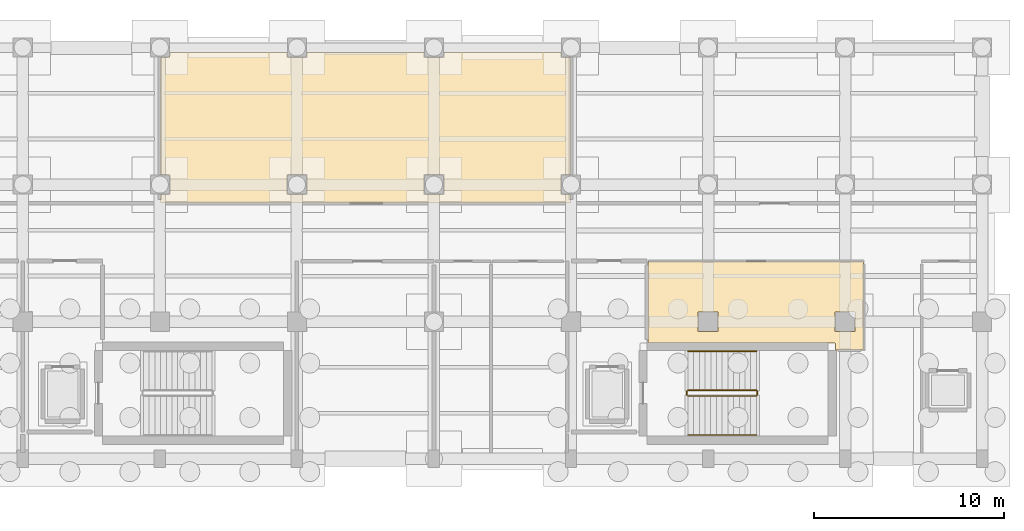
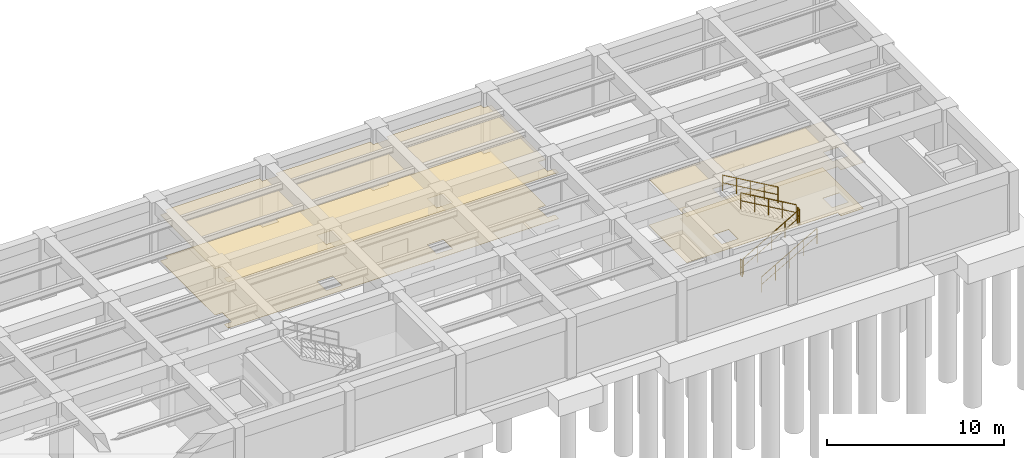
# One storey, part 7 of 8: 6 railings, 4 coverings.
"""IFC4 building model written with IfcOpenShell, lengths in metres."""

from ifc_helpers import new_model, si_unit, direction, frame, origin, origin_2d, place, context, subcontext, project, spatial, polyline, circle, outline, extrude, material, layer, layer_set, type_object, element, save


model = new_model("IFC4")

# Units and contexts
model_context = context("Model", 3, precision=1e-05, world=origin(), true_north=direction((0.0, 1.0)))
body_context = subcontext(model_context, "Body", "Model", "MODEL_VIEW")
ifc_project = project(units=[si_unit("LENGTHUNIT", "METRE"), si_unit("AREAUNIT", "SQUARE_METRE"), si_unit("VOLUMEUNIT", "CUBIC_METRE"), si_unit("PLANEANGLEUNIT", "RADIAN"), si_unit("MASSUNIT", "GRAM", prefix="KILO")], contexts=[model_context])

# Site, building, storey
site_placement = place(None, origin())
site = spatial("IfcSite", under=ifc_project, at=site_placement, CompositionType="ELEMENT")
building_placement = place(site_placement, origin())
building = spatial("IfcBuilding", under=site, at=building_placement, Name="Solenvale Faculty of Natural Sciences", CompositionType="ELEMENT")
storey_placement = place(building_placement, frame((0.0, 0.0, -9.0)))
storey = spatial("IfcBuildingStorey", under=building, at=storey_placement, Name="B02", CompositionType="ELEMENT", Elevation=-9.0)

# Coverings
ifc_material_1 = material(Name="Acoustic mineral-timber ceiling", Category="wood")
ifc_layer_1 = layer(ifc_material_1, 0.02490234375)
ifc_layer_set_1 = layer_set([ifc_layer_1], Name="Acoustic mineral-timber ceiling")
covering_type_1 = type_object("IfcCoveringType", Name="COV-CEIL-AC25", PredefinedType="CEILING", material=ifc_layer_set_1)
covering_1_placement = place(storey_placement, frame((0.0, 0.0, 3.1650390625)))
element("IfcCovering", 1, at=covering_1_placement, inside=storey, type_object=covering_type_1, Name="B02 Electrical Substation and Switchgear Room Acoustic Ceiling", PredefinedType="CEILING", context=body_context, shape_type="SweptSolid", body=[
    extrude(outline(polyline([(108.0400390625, 107.445068359375), (108.06689453125, 107.47509765625), (108.513916015625, 107.47509765625), (108.52490234375, 107.486083984375), (108.52392578125, 108.51904296875), (108.06689453125, 108.52490234375), (108.0400390625, 108.552001953125), (108.0400390625, 114.64794921875), (108.06689453125, 114.675048828125), (108.52099609375, 114.677001953125), (108.52490234375, 114.93310546875), (108.5458984375, 114.958984375), (114.64501953125, 114.9599609375), (114.675048828125, 114.93310546875), (114.681884765625, 114.675048828125), (115.714111328125, 114.675048828125), (115.72509765625, 114.68603515625), (115.72509765625, 114.93310546875), (115.7548828125, 114.9599609375), (121.844970703125, 114.9599609375), (121.875, 114.93310546875), (121.882080078125, 114.675048828125), (122.9140625, 114.675048828125), (122.925048828125, 114.68603515625), (122.925048828125, 114.93310546875), (122.955078125, 114.9599609375), (129.044921875, 114.9599609375), (129.074951171875, 114.93310546875), (129.080078125, 114.676025390625), (129.550048828125, 114.675048828125), (129.5791015625, 114.654052734375), (129.580078125, 108.552001953125), (129.552978515625, 108.52490234375), (129.0859375, 108.52490234375), (129.074951171875, 108.513916015625), (129.074951171875, 107.48193359375), (129.550048828125, 107.47509765625), (129.571044921875, 107.466064453125), (129.580078125, 107.445068359375), (129.580078125, 107.070068359375), (129.55908203125, 107.041015625), (108.070068359375, 107.0400390625), (108.0400390625, 107.06689453125), (108.0400390625, 107.445068359375)]), holes=[polyline([(122.9140625, 107.47509765625), (122.925048828125, 107.486083984375), (122.922119140625, 108.52197265625), (121.8779296875, 108.52197265625), (121.8779296875, 107.47802734375), (122.9140625, 107.47509765625)]), polyline([(115.714111328125, 107.47509765625), (115.72509765625, 107.486083984375), (115.721923828125, 108.52197265625), (114.677978515625, 108.52197265625), (114.677978515625, 107.47802734375), (115.714111328125, 107.47509765625)])]), origin(), (0.0, 0.0, 1.0), 0.02490234375),
])
covering_2_placement = place(storey_placement, frame((0.0, 0.0, 3.1650390625)))
element("IfcCovering", 2, at=covering_2_placement, inside=storey, type_object=covering_type_1, Name="B02 Building Electrical and Telecom Closet Acoustic Ceiling", PredefinedType="CEILING", context=body_context, shape_type="SweptSolid", body=[
    extrude(outline(polyline([(144.929931640625, 103.9599609375), (144.950927734375, 103.950927734375), (144.9599609375, 103.929931640625), (144.9599609375, 99.35009765625), (144.94091796875, 99.322021484375), (143.50390625, 99.321044921875), (143.47998046875, 99.346923828125), (143.47998046875, 99.654052734375), (143.450927734375, 99.679931640625), (133.669921875, 99.679931640625), (133.64208984375, 99.698974609375), (133.639892578125, 103.929931640625), (133.658935546875, 103.9580078125), (144.929931640625, 103.9599609375)]), holes=[polyline([(143.47509765625, 100.285888671875), (143.486083984375, 100.27490234375), (144.52197265625, 100.278076171875), (144.52197265625, 101.322021484375), (143.47802734375, 101.322021484375), (143.47509765625, 100.285888671875)]), polyline([(136.27490234375, 100.285888671875), (136.285888671875, 100.27490234375), (137.322021484375, 100.278076171875), (137.322021484375, 101.322021484375), (136.278076171875, 101.322021484375), (136.27490234375, 100.285888671875)])]), origin(), (0.0, 0.0, 1.0), 0.02490234375),
])
ifc_material_2 = material(Name="Polished slate terrazzo flooring", Category="masonry")
ifc_layer_2 = layer(ifc_material_2, 0.01806640625)
ifc_layer_set_2 = layer_set([ifc_layer_2], Name="Polished slate terrazzo flooring")
covering_type_2 = type_object("IfcCoveringType", Name="COV-FLR-TRZ18", PredefinedType="FLOORING", material=ifc_layer_set_2)
covering_3_placement = place(storey_placement, origin())
element("IfcCovering", 3, at=covering_3_placement, inside=storey, type_object=covering_type_2, Name="B02 Electrical Substation and Switchgear Room Floor Finish", PredefinedType="FLOORING", context=body_context, shape_type="SweptSolid", body=[
    extrude(outline(polyline([(108.0400390625, 107.445068359375), (108.06689453125, 107.47509765625), (108.513916015625, 107.47509765625), (108.52490234375, 107.486083984375), (108.52392578125, 108.51904296875), (108.06689453125, 108.52490234375), (108.0400390625, 108.552001953125), (108.0400390625, 114.64794921875), (108.06689453125, 114.675048828125), (108.52099609375, 114.677001953125), (108.52490234375, 114.93310546875), (108.5458984375, 114.958984375), (114.64501953125, 114.9599609375), (114.675048828125, 114.93310546875), (114.681884765625, 114.675048828125), (115.714111328125, 114.675048828125), (115.72509765625, 114.68603515625), (115.72509765625, 114.93310546875), (115.7548828125, 114.9599609375), (121.844970703125, 114.9599609375), (121.875, 114.93310546875), (121.882080078125, 114.675048828125), (122.9140625, 114.675048828125), (122.925048828125, 114.68603515625), (122.925048828125, 114.93310546875), (122.955078125, 114.9599609375), (129.044921875, 114.9599609375), (129.074951171875, 114.93310546875), (129.080078125, 114.676025390625), (129.550048828125, 114.675048828125), (129.5791015625, 114.654052734375), (129.580078125, 108.552001953125), (129.552978515625, 108.52490234375), (129.0859375, 108.52490234375), (129.074951171875, 108.513916015625), (129.074951171875, 107.48193359375), (129.550048828125, 107.47509765625), (129.571044921875, 107.466064453125), (129.580078125, 107.445068359375), (129.580078125, 107.070068359375), (129.55908203125, 107.041015625), (108.070068359375, 107.0400390625), (108.0400390625, 107.06689453125), (108.0400390625, 107.445068359375)]), holes=[polyline([(122.9140625, 107.47509765625), (122.925048828125, 107.486083984375), (122.922119140625, 108.52197265625), (121.8779296875, 108.52197265625), (121.8779296875, 107.47802734375), (122.9140625, 107.47509765625)]), polyline([(115.714111328125, 107.47509765625), (115.72509765625, 107.486083984375), (115.721923828125, 108.52197265625), (114.677978515625, 108.52197265625), (114.677978515625, 107.47802734375), (115.714111328125, 107.47509765625)])]), origin(), (0.0, 0.0, 1.0), 0.01806640625),
])
covering_4_placement = place(storey_placement, origin())
element("IfcCovering", 4, at=covering_4_placement, inside=storey, type_object=covering_type_2, Name="B02 Building Electrical and Telecom Closet Floor Finish", PredefinedType="FLOORING", context=body_context, shape_type="SweptSolid", body=[
    extrude(outline(polyline([(144.929931640625, 103.9599609375), (144.950927734375, 103.950927734375), (144.9599609375, 103.929931640625), (144.9599609375, 99.35009765625), (144.94091796875, 99.322021484375), (143.50390625, 99.321044921875), (143.47998046875, 99.346923828125), (143.47998046875, 99.654052734375), (143.450927734375, 99.679931640625), (133.669921875, 99.679931640625), (133.64208984375, 99.698974609375), (133.639892578125, 103.929931640625), (133.658935546875, 103.9580078125), (144.929931640625, 103.9599609375)]), holes=[polyline([(143.47509765625, 100.285888671875), (143.486083984375, 100.27490234375), (144.52197265625, 100.278076171875), (144.52197265625, 101.322021484375), (143.47802734375, 101.322021484375), (143.47509765625, 100.285888671875)]), polyline([(136.27490234375, 100.285888671875), (136.285888671875, 100.27490234375), (137.322021484375, 100.278076171875), (137.322021484375, 101.322021484375), (136.278076171875, 101.322021484375), (136.27490234375, 100.285888671875)])]), origin(), (0.0, 0.0, 1.0), 0.01806640625),
])

# Railings
ifc_material_3 = material(Name="Stainless steel Grade 304", Category="steel")
railing_type_1 = type_object("IfcRailingType", Name="RL-GRD-1100", PredefinedType="GUARDRAIL", material=ifc_material_3)
railing_1_placement = place(storey_placement, frame((135.739990234375, 96.89990234375, 0.173095703125)))
element("IfcRailing", 5, at=railing_1_placement, inside=storey, type_object=railing_type_1, Name="B02 ST-05 stair guard 1", PredefinedType="GUARDRAIL", context=body_context, shape_type="SweptSolid", body=[
    extrude(circle(Radius=0.02392578125, at=origin_2d()), frame((0.0, 0.0, 1.09619140625), z_axis=(0.866193409371, 0.0, 0.499708892819), x_axis=(0.0, 1.0, 0.0)), (0.0, 0.0, 1.0), 4.15625),
    extrude(circle(Radius=0.01611328125, at=origin_2d()), frame((0.0, 0.0, 0.56005859375), z_axis=(0.866193409371, 0.0, 0.499708892819), x_axis=(0.0, 1.0, 0.0)), (0.0, 0.0, 1.0), 4.15625),
    extrude(circle(Radius=0.02099609375, at=origin_2d()), origin(), (0.0, 0.0, 1.0), 1.072021484375),
    extrude(circle(Radius=0.02099609375, at=origin_2d()), frame((0.89990234375, 0.0, 0.519287109375)), (0.0, 0.0, 1.0), 1.072021484375),
    extrude(circle(Radius=0.02099609375, at=origin_2d()), frame((1.800048828125, 0.0, 1.03857421875)), (0.0, 0.0, 1.0), 1.072021484375),
    extrude(circle(Radius=0.02099609375, at=origin_2d()), frame((2.7001953125, 0.0, 1.5576171875)), (0.0, 0.0, 1.0), 1.072021484375),
    extrude(circle(Radius=0.02099609375, at=origin_2d()), frame((3.60009765625, 0.0, 2.076904296875)), (0.0, 0.0, 1.0), 1.072021484375),
])
railing_2_placement = place(storey_placement, frame((139.389892578125, 96.949951171875, 2.25)))
element("IfcRailing", 6, at=railing_2_placement, inside=storey, type_object=railing_type_1, Name="B02 ST-05 stair guard 2", PredefinedType="GUARDRAIL", context=body_context, shape_type="SweptSolid", body=[
    extrude(circle(Radius=0.02392578125, at=origin_2d()), frame((0.0, 0.0, 1.09619140625), z_axis=(0.0, 1.0, 0.0), x_axis=(-1.0, 0.0, 0.0)), (0.0, 0.0, 1.0), 0.199951171875),
    extrude(circle(Radius=0.01611328125, at=origin_2d()), frame((0.0, 0.0, 0.56005859375), z_axis=(0.0, 1.0, 0.0), x_axis=(-1.0, 0.0, 0.0)), (0.0, 0.0, 1.0), 0.199951171875),
    extrude(circle(Radius=0.02099609375, at=origin_2d()), origin(), (0.0, 0.0, 1.0), 1.072021484375),
    extrude(circle(Radius=0.02099609375, at=origin_2d()), frame((0.0, 0.199951171875, 0.0)), (0.0, 0.0, 1.0), 1.072021484375),
])
railing_3_placement = place(storey_placement, frame((139.340087890625, 97.199951171875, 2.423095703125)))
element("IfcRailing", 7, at=railing_3_placement, inside=storey, type_object=railing_type_1, Name="B02 ST-05 stair guard 3", PredefinedType="GUARDRAIL", context=body_context, shape_type="SweptSolid", body=[
    extrude(circle(Radius=0.02392578125, at=origin_2d()), frame((0.0, 0.0, 1.09619140625), z_axis=(-0.866193409371, 0.0, 0.499708892819), x_axis=(0.0, -1.0, 0.0)), (0.0, 0.0, 1.0), 4.15625),
    extrude(circle(Radius=0.01611328125, at=origin_2d()), frame((0.0, 0.0, 0.56005859375), z_axis=(-0.866193409371, 0.0, 0.499708892819), x_axis=(0.0, -1.0, 0.0)), (0.0, 0.0, 1.0), 4.15625),
    extrude(circle(Radius=0.02099609375, at=origin_2d()), origin(), (0.0, 0.0, 1.0), 1.072021484375),
    extrude(circle(Radius=0.02099609375, at=origin_2d()), frame((-0.89990234375, 0.0, 0.519287109375)), (0.0, 0.0, 1.0), 1.072021484375),
    extrude(circle(Radius=0.02099609375, at=origin_2d()), frame((-1.800048828125, 0.0, 1.03857421875)), (0.0, 0.0, 1.0), 1.072021484375),
    extrude(circle(Radius=0.02099609375, at=origin_2d()), frame((-2.7001953125, 0.0, 1.5576171875)), (0.0, 0.0, 1.0), 1.072021484375),
    extrude(circle(Radius=0.02099609375, at=origin_2d()), frame((-3.60009765625, 0.0, 2.076904296875)), (0.0, 0.0, 1.0), 1.072021484375),
])
railing_4_placement = place(storey_placement, frame((135.68994140625, 96.949951171875, 0.0)))
element("IfcRailing", 8, at=railing_4_placement, inside=storey, type_object=railing_type_1, Name="B02 ST-05 stair guard 4", PredefinedType="GUARDRAIL", context=body_context, shape_type="SweptSolid", body=[
    extrude(circle(Radius=0.02392578125, at=origin_2d()), frame((0.0, 0.0, 1.09619140625), z_axis=(0.0, 1.0, 0.0), x_axis=(-1.0, 0.0, 0.0)), (0.0, 0.0, 1.0), 0.199951171875),
    extrude(circle(Radius=0.01611328125, at=origin_2d()), frame((0.0, 0.0, 0.56005859375), z_axis=(0.0, 1.0, 0.0), x_axis=(-1.0, 0.0, 0.0)), (0.0, 0.0, 1.0), 0.199951171875),
    extrude(circle(Radius=0.02099609375, at=origin_2d()), origin(), (0.0, 0.0, 1.0), 1.072021484375),
    extrude(circle(Radius=0.02099609375, at=origin_2d()), frame((0.0, 0.199951171875, 0.0)), (0.0, 0.0, 1.0), 1.072021484375),
])
railing_type_2 = type_object("IfcRailingType", Name="RL-HND-900", PredefinedType="HANDRAIL", material=ifc_material_3)
railing_5_placement = place(storey_placement, frame((135.739990234375, 94.85009765625, 0.173095703125)))
element("IfcRailing", 9, at=railing_5_placement, inside=storey, type_object=railing_type_2, Name="B02 ST-05 stair handrail 1", PredefinedType="HANDRAIL", context=body_context, shape_type="SweptSolid", body=[
    extrude(circle(Radius=0.02392578125, at=origin_2d()), frame((0.0, 0.0, 1.0732421875), z_axis=(0.866193409371, 0.0, 0.499708892819), x_axis=(0.0, 1.0, 0.0)), (0.0, 0.0, 1.0), 4.15625),
    extrude(circle(Radius=0.01611328125, at=origin_2d()), frame((0.0, 0.0, 0.548583984375), z_axis=(0.866193409371, 0.0, 0.499708892819), x_axis=(0.0, 1.0, 0.0)), (0.0, 0.0, 1.0), 4.15625),
    extrude(circle(Radius=0.02099609375, at=origin_2d()), origin(), (0.0, 0.0, 1.0), 1.049072265625),
    extrude(circle(Radius=0.02099609375, at=origin_2d()), frame((0.89990234375, 0.0, 0.519287109375)), (0.0, 0.0, 1.0), 1.049072265625),
    extrude(circle(Radius=0.02099609375, at=origin_2d()), frame((1.800048828125, 0.0, 1.03857421875)), (0.0, 0.0, 1.0), 1.049072265625),
    extrude(circle(Radius=0.02099609375, at=origin_2d()), frame((2.7001953125, 0.0, 1.5576171875)), (0.0, 0.0, 1.0), 1.049072265625),
    extrude(circle(Radius=0.02099609375, at=origin_2d()), frame((3.60009765625, 0.0, 2.076904296875)), (0.0, 0.0, 1.0), 1.049072265625),
])
railing_6_placement = place(storey_placement, frame((139.340087890625, 99.25, 2.423095703125)))
element("IfcRailing", 10, at=railing_6_placement, inside=storey, type_object=railing_type_2, Name="B02 ST-05 stair handrail 2", PredefinedType="HANDRAIL", context=body_context, shape_type="SweptSolid", body=[
    extrude(circle(Radius=0.02392578125, at=origin_2d()), frame((0.0, 0.0, 1.0732421875), z_axis=(-0.866193409371, 0.0, 0.499708892819), x_axis=(0.0, -1.0, 0.0)), (0.0, 0.0, 1.0), 4.15625),
    extrude(circle(Radius=0.01611328125, at=origin_2d()), frame((0.0, 0.0, 0.548583984375), z_axis=(-0.866193409371, 0.0, 0.499708892819), x_axis=(0.0, -1.0, 0.0)), (0.0, 0.0, 1.0), 4.15625),
    extrude(circle(Radius=0.02099609375, at=origin_2d()), origin(), (0.0, 0.0, 1.0), 1.049072265625),
    extrude(circle(Radius=0.02099609375, at=origin_2d()), frame((-0.89990234375, 0.0, 0.519287109375)), (0.0, 0.0, 1.0), 1.049072265625),
    extrude(circle(Radius=0.02099609375, at=origin_2d()), frame((-1.800048828125, 0.0, 1.03857421875)), (0.0, 0.0, 1.0), 1.049072265625),
    extrude(circle(Radius=0.02099609375, at=origin_2d()), frame((-2.7001953125, 0.0, 1.5576171875)), (0.0, 0.0, 1.0), 1.049072265625),
    extrude(circle(Radius=0.02099609375, at=origin_2d()), frame((-3.60009765625, 0.0, 2.076904296875)), (0.0, 0.0, 1.0), 1.049072265625),
])

save(model, "model.ifc")
